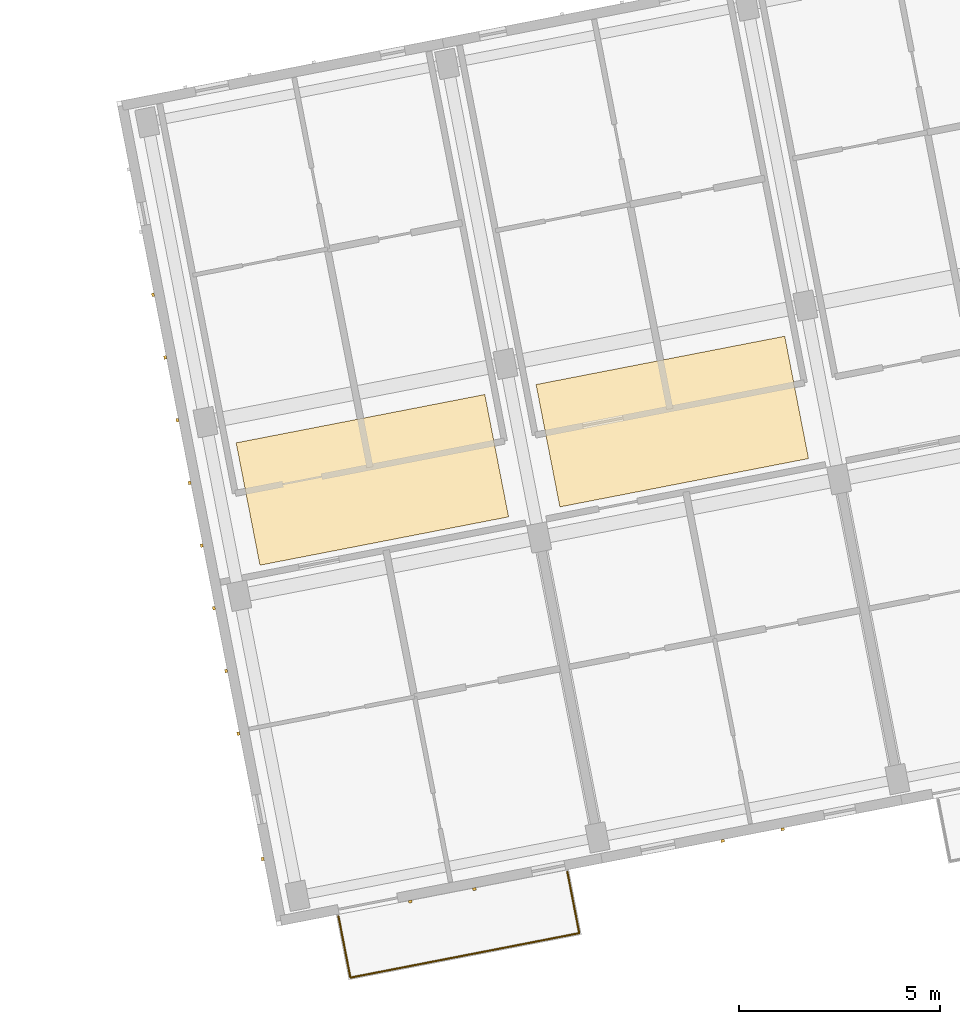
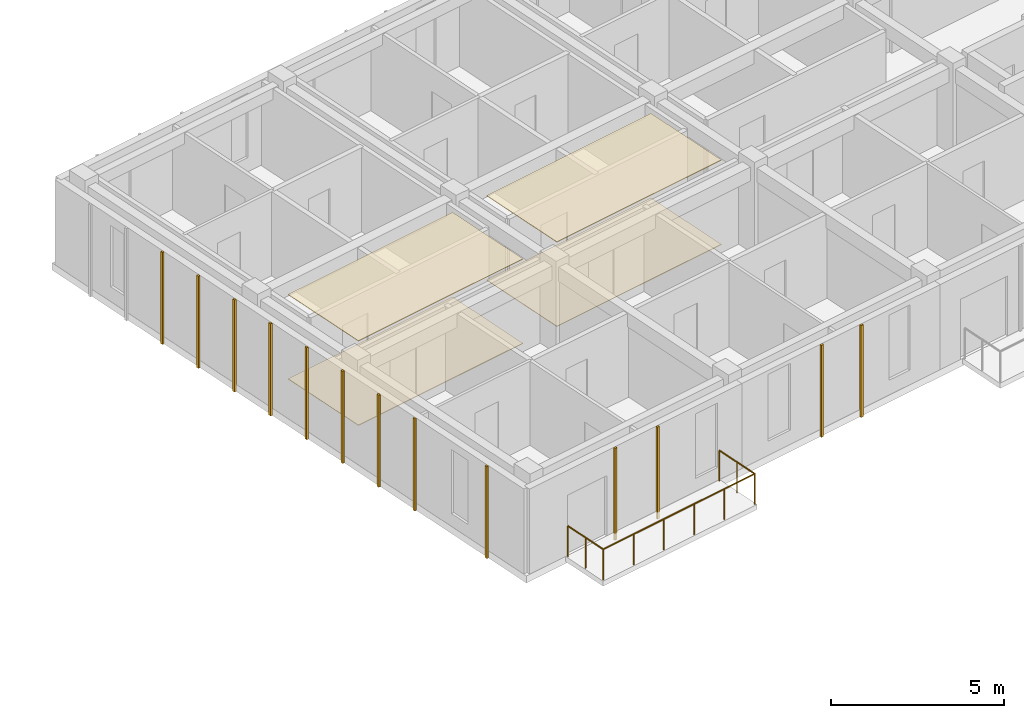
# One storey, part 52 of 66: 17 coverings, 1 railing.
"""IFC4 building model written with IfcOpenShell, lengths in metres."""

from ifc_helpers import new_model, si_unit, direction, frame, origin, origin_2d, place, context, subcontext, project, spatial, polyline, rectangle, circle, outline, extrude, material, layer, layer_set, type_object, element, save


model = new_model("IFC4")

# Units and contexts
model_context = context("Model", 3, precision=1e-05, world=origin(), true_north=direction((0.0, 1.0)))
body_context = subcontext(model_context, "Body", "Model", "MODEL_VIEW")
ifc_project = project(units=[si_unit("LENGTHUNIT", "METRE"), si_unit("AREAUNIT", "SQUARE_METRE"), si_unit("VOLUMEUNIT", "CUBIC_METRE"), si_unit("PLANEANGLEUNIT", "RADIAN"), si_unit("MASSUNIT", "GRAM", prefix="KILO")], contexts=[model_context])

# Site, building, storey
site_placement = place(None, origin())
site = spatial("IfcSite", under=ifc_project, at=site_placement, CompositionType="ELEMENT")
building_placement = place(site_placement, origin())
building = spatial("IfcBuilding", under=site, at=building_placement, Name="Kestramere Prow Commons", CompositionType="ELEMENT")
storey_placement = place(building_placement, frame((0.0, 0.0, 14.89990234375)))
storey = spatial("IfcBuildingStorey", under=building, at=storey_placement, Name="L04", CompositionType="ELEMENT", Elevation=14.89990234375)

# Coverings
ifc_material_1 = material(Name="Mineral Fibre Acoustic Ceiling Tile")
ifc_layer_1 = layer(ifc_material_1, 0.02490234375)
ifc_layer_set_1 = layer_set([ifc_layer_1], Name="Mineral Fibre Acoustic Ceiling Tile")
covering_type_1 = type_object("IfcCoveringType", Name="COV-CEIL-ACOUSTIC", PredefinedType="CEILING", material=ifc_layer_set_1)
covering_1_placement = place(storey_placement, frame((0.0, 0.0, 2.97509765625)))
element("IfcCovering", 1, at=covering_1_placement, inside=storey, type_object=covering_type_1, Name="Block D L04 Corridor Acoustic Ceiling 1", PredefinedType="CEILING", context=body_context, shape_type="SweptSolid", body=[
    extrude(outline(polyline([(117.4638671875, 42.222412109375), (123.648193359375, 43.424560546875), (123.056640625, 46.467529296875), (116.872314453125, 45.265380859375), (117.4638671875, 42.222412109375)])), origin(), (0.0, 0.0, 1.0), 0.02490234375),
])
covering_2_placement = place(storey_placement, frame((0.0, 0.0, 2.97509765625)))
element("IfcCovering", 2, at=covering_2_placement, inside=storey, type_object=covering_type_1, Name="Block D L04 Corridor Acoustic Ceiling 2", PredefinedType="CEILING", context=body_context, shape_type="SweptSolid", body=[
    extrude(outline(polyline([(124.92431640625, 43.672607421875), (131.1083984375, 44.874755859375), (130.51708984375, 47.917724609375), (124.332763671875, 46.715576171875), (124.92431640625, 43.672607421875)])), origin(), (0.0, 0.0, 1.0), 0.02490234375),
])
ifc_material_2 = material(Name="Weathered Zinc-Titanium Standing-Seam Cladding")
ifc_layer_2 = layer(ifc_material_2, 0.074951171875)
ifc_layer_set_2 = layer_set([ifc_layer_2], Name="Weathered Zinc-Titanium Standing-Seam Cladding")
covering_type_2 = type_object("IfcCoveringType", Name="COV-CLAD-SEAM", PredefinedType="CLADDING", material=ifc_layer_set_2)
for number, where, z_axis, x_axis, name in (
    (3, (122.79931640625, 34.1650390625, -0.25), (0.0, 0.0, 1.0), (-0.981627183448, -0.190808995377, 0.0), "EW-D-L04-S-0 Standing-Seam Rib 2"),
    (4, (121.2041015625, 33.85498046875, -0.25), (0.0, 0.0, 1.0), (-0.981627183448, -0.190808995377, 0.0), "EW-D-L04-S-0 Standing-Seam Rib 3"),
    (5, (130.4658203125, 35.6552734375, -0.25), (0.0, 0.0, 1.0), (-0.981627183448, -0.190808995377, 0.0), "EW-D-L04-S-1 Standing-Seam Rib 2"),
    (6, (128.973876953125, 35.365234375, -0.25), (0.0, 0.0, 1.0), (-0.981627183448, -0.190808995377, 0.0), "EW-D-L04-S-1 Standing-Seam Rib 3"),
    (7, (117.531982421875, 34.91455078125, -0.25), (0.0, 0.0, 1.0), (-0.190808995377, 0.981627183448, 0.0), "EW-D-L04-EAV Standing-Seam Rib 1"),
    (8, (116.92578125, 38.033203125, -0.25), (0.0, 0.0, 1.0), (-0.190808995377, 0.981627183448, 0.0), "EW-D-L04-EAV Standing-Seam Rib 3"),
    (9, (116.622802734375, 39.592529296875, -0.25), (0.0, 0.0, 1.0), (-0.190808995377, 0.981627183448, 0.0), "EW-D-L04-EAV Standing-Seam Rib 4"),
    (10, (116.319580078125, 41.15185546875, -0.25), (0.0, 0.0, 1.0), (-0.190808995377, 0.981627183448, 0.0), "EW-D-L04-EAV Standing-Seam Rib 5"),
    (11, (116.0166015625, 42.7109375, -0.25), (0.0, 0.0, 1.0), (-0.190808995377, 0.981627183448, 0.0), "EW-D-L04-EAV Standing-Seam Rib 6"),
    (12, (115.71337890625, 44.270263671875, -0.25), (0.0, 0.0, 1.0), (-0.190808995377, 0.981627183448, 0.0), "EW-D-L04-EAV Standing-Seam Rib 7"),
    (13, (115.410400390625, 45.82958984375, -0.25), (0.0, 0.0, 1.0), (-0.190808995377, 0.981627183448, 0.0), "EW-D-L04-EAV Standing-Seam Rib 8"),
    (14, (115.107177734375, 47.388916015625, -0.25), (0.0, 0.0, 1.0), (-0.190808995377, 0.981627183448, 0.0), "EW-D-L04-EAV Standing-Seam Rib 9"),
    (15, (114.80419921875, 48.9482421875, -0.25), (0.0, 0.0, 1.0), (-0.190808995377, 0.981627183448, 0.0), "EW-D-L04-EAV Standing-Seam Rib 10"),
):
    element("IfcCovering", number, at=place(storey_placement, frame(where, z_axis=z_axis, x_axis=x_axis)), inside=storey, type_object=covering_type_2, Name=name, PredefinedType="CLADDING", context=body_context, shape_type="SweptSolid", body=[
        extrude(rectangle(XDim=0.0849609375, YDim=0.06494140625, at=origin_2d()), origin(), (0.0, 0.0, 1.0), 3.25),
    ])
ifc_material_3 = material(Name="Honed Cementitious Terrazzo Tile")
ifc_layer_3 = layer(ifc_material_3, 0.02001953125)
ifc_layer_set_3 = layer_set([ifc_layer_3], Name="Honed Cementitious Terrazzo Tile")
covering_type_3 = type_object("IfcCoveringType", Name="COV-FLOOR-TERRAZZO", PredefinedType="FLOORING", material=ifc_layer_set_3)
covering_3_placement = place(storey_placement, origin())
element("IfcCovering", 16, at=covering_3_placement, inside=storey, type_object=covering_type_3, Name="Block D L04 Corridor Terrazzo Flooring 1", PredefinedType="FLOORING", context=body_context, shape_type="SweptSolid", body=[
    extrude(outline(polyline([(117.4638671875, 42.222412109375), (123.648193359375, 43.424560546875), (123.056640625, 46.467529296875), (116.872314453125, 45.265380859375), (117.4638671875, 42.222412109375)])), origin(), (0.0, 0.0, 1.0), 0.02001953125),
])
covering_4_placement = place(storey_placement, origin())
element("IfcCovering", 17, at=covering_4_placement, inside=storey, type_object=covering_type_3, Name="Block D L04 Corridor Terrazzo Flooring 2", PredefinedType="FLOORING", context=body_context, shape_type="SweptSolid", body=[
    extrude(outline(polyline([(124.92431640625, 43.672607421875), (131.1083984375, 44.874755859375), (130.51708984375, 47.917724609375), (124.332763671875, 46.715576171875), (124.92431640625, 43.672607421875)])), origin(), (0.0, 0.0, 1.0), 0.02001953125),
])

# Railing
ifc_material_4 = material(Name="Powder-Coated Aluminium 6063-T6", Category="aluminium")
railing_type = type_object("IfcRailingType", Name="GRD-BALC-1100", PredefinedType="BALUSTRADE", material=ifc_material_4)
railing_placement = place(storey_placement, frame((119.4150390625, 33.494384765625, 0.0)))
element("IfcRailing", 18, at=railing_placement, inside=storey, type_object=railing_type, Name="Block D L04 Balcony Guardrail 1", PredefinedType="BALUSTRADE", context=body_context, shape_type="SweptSolid", body=[
    extrude(circle(Radius=0.02392578125, at=origin_2d()), frame((0.0, 0.0, 1.076171875), z_axis=(0.190936682564, -0.981602354954, 0.0), x_axis=(0.981602354954, 0.190936682564, 0.0)), (0.0, 0.0, 1.0), 1.56005859375),
    extrude(circle(Radius=0.02392578125, at=origin_2d()), frame((0.2978515625, -1.53125, 1.076171875), z_axis=(0.981626779841, 0.190811071742, 0.0), x_axis=(-0.190811071742, 0.981626779841, 0.0)), (0.0, 0.0, 1.0), 5.7998046875),
    extrude(circle(Radius=0.02392578125, at=origin_2d()), frame((5.9912109375, -0.424560546875, 1.076171875), z_axis=(-0.19078587602, 0.981631677113, 0.0), x_axis=(-0.981631677113, -0.19078587602, 0.0)), (0.0, 0.0, 1.0), 1.559814453125),
    extrude(circle(Radius=0.02099609375, at=origin_2d()), origin(), (0.0, 0.0, 1.0), 1.052001953125),
    extrude(circle(Radius=0.02099609375, at=origin_2d()), frame((0.14892578125, -0.765625, 0.0)), (0.0, 0.0, 1.0), 1.052001953125),
    extrude(circle(Radius=0.02099609375, at=origin_2d()), frame((0.2978515625, -1.53125, 0.0)), (0.0, 0.0, 1.0), 1.052001953125),
    extrude(circle(Radius=0.02099609375, at=origin_2d()), frame((1.4365234375, -1.309814453125, 0.0)), (0.0, 0.0, 1.0), 1.052001953125),
    extrude(circle(Radius=0.02099609375, at=origin_2d()), frame((2.5751953125, -1.088623046875, 0.0)), (0.0, 0.0, 1.0), 1.052001953125),
    extrude(circle(Radius=0.02099609375, at=origin_2d()), frame((3.7138671875, -0.8671875, 0.0)), (0.0, 0.0, 1.0), 1.052001953125),
    extrude(circle(Radius=0.02099609375, at=origin_2d()), frame((4.8525390625, -0.64599609375, 0.0)), (0.0, 0.0, 1.0), 1.052001953125),
    extrude(circle(Radius=0.02099609375, at=origin_2d()), frame((5.9912109375, -0.424560546875, 0.0)), (0.0, 0.0, 1.0), 1.052001953125),
    extrude(circle(Radius=0.02099609375, at=origin_2d()), frame((5.84228515625, 0.341064453125, 0.0)), (0.0, 0.0, 1.0), 1.052001953125),
    extrude(circle(Radius=0.02099609375, at=origin_2d()), frame((5.693603515625, 1.106689453125, 0.0)), (0.0, 0.0, 1.0), 1.052001953125),
])

save(model, "model.ifc")
